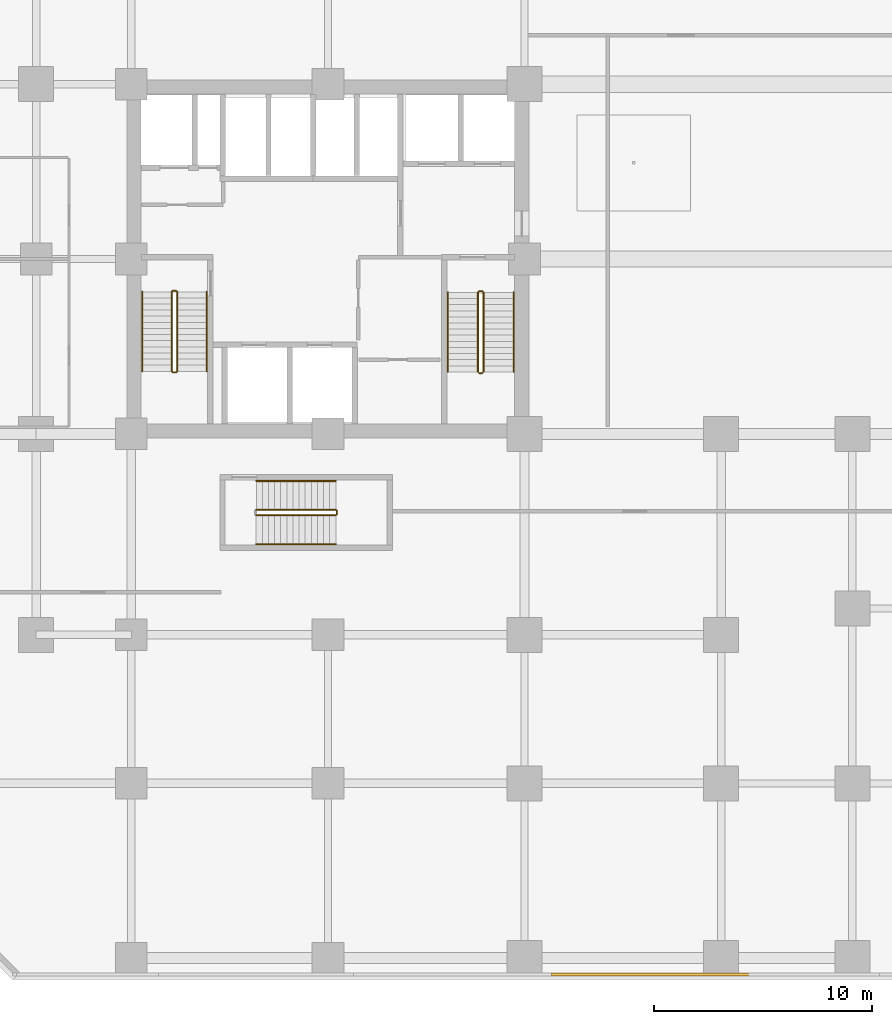
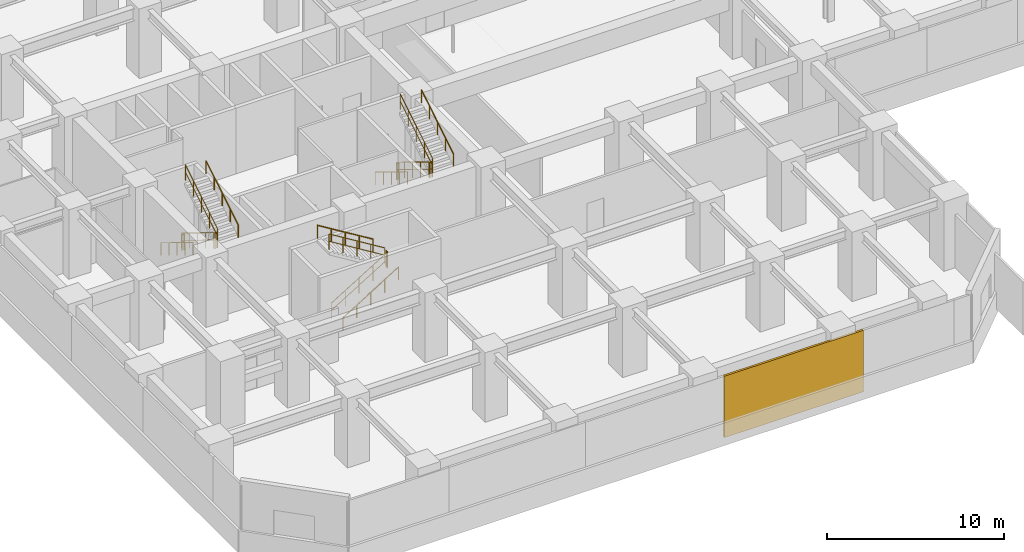
# One storey, part 9 of 12: 17 railings, 1 covering.
"""IFC4 building model written with IfcOpenShell, lengths in metres."""

import ifcopenshell
import ifcopenshell.guid

model = None  # the IFC model being written
_history = None  # IfcOwnerHistory: only IFC2X3 demands one
_inside = {}  # id of a spatial element -> (the spatial element, [elements in it])
_under = {}  # id of a project, library or spatial element -> (it, [spatial elements below it])
_declared = {}  # id of a project -> (the project, [libraries it declares])
_typed = {}  # id of a type object -> (the type object, [elements of that type])
_made_of = {}  # id of a material, layer set ... -> (it, [elements and type objects made of it])


def new_model(schema):
    """Start an empty IFC model of exactly this schema.

    Asked for "IFC4X3", IfcOpenShell would pick the latest addendum, in which some entities
    have other attributes; the version numbers below select the first issue.
    IFC2X3 requires an IfcOwnerHistory on every rooted entity: one is made here for all.
    """
    global model, _history
    if schema == "IFC4X3":
        model = ifcopenshell.file(schema_version=(4, 3, 0, 0))
    else:
        model = ifcopenshell.file(schema=schema)
    _inside.clear()
    _under.clear()
    _declared.clear()
    _typed.clear()
    _made_of.clear()
    _history = None
    if model.schema == "IFC2X3":
        org = make("IfcOrganization", Name="unknown")
        user = make(
            "IfcPersonAndOrganization",
            ThePerson=make("IfcPerson", FamilyName="unknown"),
            TheOrganization=org,
        )
        app = make(
            "IfcApplication",
            ApplicationDeveloper=org,
            Version="unknown",
            ApplicationFullName="unknown",
            ApplicationIdentifier="unknown",
        )
        _history = make(
            "IfcOwnerHistory",
            OwningUser=user,
            OwningApplication=app,
            ChangeAction="ADDED",
            CreationDate=0,
        )
    return model


def make(cls, **values):
    """One entity of the class cls with the attributes given. An attribute that is None is left unset."""
    return model.create_entity(
        cls, **{name: value for name, value in values.items() if value is not None}
    )


def rooted(cls, **values):
    """An entity with a GlobalId (a new one), such as an element, a storey or a relation."""
    return make(cls, GlobalId=ifcopenshell.guid.new(), OwnerHistory=_history, **values)


def si_unit(unit_type, name, prefix=None):
    """IfcSIUnit, for example si_unit("LENGTHUNIT", "METRE", prefix="MILLI")."""
    return make("IfcSIUnit", UnitType=unit_type, Prefix=prefix, Name=name)


def assignment(units):
    """IfcUnitAssignment: the units of a project."""
    return None if units is None else make("IfcUnitAssignment", Units=units)


def point(xyz):
    """IfcCartesianPoint."""
    return None if xyz is None else make("IfcCartesianPoint", Coordinates=xyz)


def direction(xyz):
    """IfcDirection."""
    return None if xyz is None else make("IfcDirection", DirectionRatios=xyz)


def frame(location, z_axis=None, x_axis=None):
    """IfcAxis2Placement3D, a coordinate frame: its origin and axes. An axis left out is left unset."""
    return make(
        "IfcAxis2Placement3D",
        Location=point(location),
        Axis=direction(z_axis),
        RefDirection=direction(x_axis),
    )


def frame_2d(location, x_axis=None):
    """IfcAxis2Placement2D, a coordinate frame in the plane: its origin and x axis."""
    return make(
        "IfcAxis2Placement2D", Location=point(location), RefDirection=direction(x_axis)
    )


def origin():
    """The frame at (0, 0, 0) with its axes left unset."""
    return frame((0.0, 0.0, 0.0))


def origin_2d():
    """The frame at (0, 0) in the plane with its x axis left unset."""
    return frame_2d((0.0, 0.0))


def place(relative_to, where):
    """IfcLocalPlacement: puts the frame where relative to a parent placement (None: the world)."""
    return make(
        "IfcLocalPlacement", PlacementRelTo=relative_to, RelativePlacement=where
    )


def context(
    kind, dimensions, precision=None, world=None, true_north=None, identifier=None
):
    """IfcGeometricRepresentationContext, for example the 3D "Model" context."""
    return make(
        "IfcGeometricRepresentationContext",
        ContextIdentifier=identifier,
        ContextType=kind,
        CoordinateSpaceDimension=dimensions,
        Precision=precision,
        WorldCoordinateSystem=world,
        TrueNorth=true_north,
    )


def subcontext(parent, identifier, kind, view, scale=None):
    """IfcGeometricRepresentationSubContext, for example "Body" below "Model"."""
    return make(
        "IfcGeometricRepresentationSubContext",
        ContextIdentifier=identifier,
        ContextType=kind,
        ParentContext=parent,
        TargetScale=scale,
        TargetView=view,
    )


def project(units=None, contexts=None):
    """IfcProject with its units and contexts."""
    return rooted(
        "IfcProject",
        Name="project",
        RepresentationContexts=contexts,
        UnitsInContext=assignment(units),
    )


def spatial(cls, under=None, at=None, **own):
    """A site, building, storey or space (cls), placed at a placement, below another one or the project."""
    s = rooted(cls, ObjectPlacement=at, **own)
    if under is not None:
        _under.setdefault(under.id(), (under, []))[1].append(s)
    return s


def profile(cls, at=None, kind="AREA", **sizes):
    """A parametric profile (cls). Its sizes go by their IFC names, for example OverallWidth=200.0."""
    return make(cls, ProfileType=kind, Position=at, **sizes)


def rectangle(**sizes):
    """IfcRectangleProfileDef."""
    return profile("IfcRectangleProfileDef", **sizes)


def circle(**sizes):
    """IfcCircleProfileDef."""
    return profile("IfcCircleProfileDef", **sizes)


def extrude(swept, where, along, depth):
    """IfcExtrudedAreaSolid: the profile swept, set in the frame where, extruded along a direction by depth."""
    return make(
        "IfcExtrudedAreaSolid",
        SweptArea=swept,
        Position=where,
        ExtrudedDirection=direction(along),
        Depth=depth,
    )


def shape(context_of_items, identifier, shape_type, items):
    """IfcShapeRepresentation: the items that make up one representation, for example the "Body"."""
    return make(
        "IfcShapeRepresentation",
        ContextOfItems=context_of_items,
        RepresentationIdentifier=identifier,
        RepresentationType=shape_type,
        Items=items,
    )


def source(mapping_origin, context_of_items, identifier, shape_type, items):
    """IfcRepresentationMap: a shape defined once, which mapped items show again and again."""
    return make(
        "IfcRepresentationMap",
        MappingOrigin=mapping_origin,
        MappedRepresentation=shape(context_of_items, identifier, shape_type, items),
    )


def transform(
    local_origin,
    x_axis=None,
    y_axis=None,
    z_axis=None,
    scale=None,
    scale2=None,
    scale3=None,
    uniform=True,
):
    """IfcCartesianTransformationOperator3D, or its non-uniform kind. x_axis, y_axis, z_axis: its Axis1, 2, 3."""
    if uniform:
        return make(
            "IfcCartesianTransformationOperator3D",
            Axis1=direction(x_axis),
            Axis2=direction(y_axis),
            LocalOrigin=point(local_origin),
            Scale=scale,
            Axis3=direction(z_axis),
        )
    return make(
        "IfcCartesianTransformationOperator3DnonUniform",
        Axis1=direction(x_axis),
        Axis2=direction(y_axis),
        LocalOrigin=point(local_origin),
        Scale=scale,
        Axis3=direction(z_axis),
        Scale2=scale2,
        Scale3=scale3,
    )


def mapped(mapping_source, mapping_target):
    """IfcMappedItem: shows the shape of a source again, moved by a transform."""
    return make(
        "IfcMappedItem", MappingSource=mapping_source, MappingTarget=mapping_target
    )


def material(Name=None, Category=None):
    """IfcMaterial."""
    return make("IfcMaterial", Name=Name, Category=Category)


def layer(
    of_material, thickness, ventilated=None, Name=None, Category=None, Priority=None
):
    """IfcMaterialLayer: one layer of a wall or slab, of a material (None: an air gap)."""
    return make(
        "IfcMaterialLayer",
        Material=of_material,
        LayerThickness=thickness,
        IsVentilated=ventilated,
        Name=Name,
        Category=Category,
        Priority=Priority,
    )


def layer_set(layers, Name=None):
    """IfcMaterialLayerSet."""
    return make("IfcMaterialLayerSet", MaterialLayers=layers, LayerSetName=Name)


def made_of(thing, what):
    """Note that an element or type object is made of a material, layer set ...; save() writes the relation."""
    if what is not None:
        _made_of.setdefault(what.id(), (what, []))[1].append(thing)
    return thing


def type_object(cls, material=None, **own):
    """A type object (cls), such as IfcWallType, which elements share."""
    return made_of(rooted(cls, **own), material)


def element(
    cls,
    number,
    at=None,
    inside=None,
    cuts=None,
    type_object=None,
    material=None,
    context=None,
    identifier="Body",
    shape_type=None,
    held_by="IfcProductDefinitionShape",
    body=None,
    shapes=None,
    **own,
):
    """One element of the class cls, such as IfcWall. Its Tag is "e" and its number.

    at: its placement. inside: the storey or other place that contains it. cuts: it is an
    opening in that element (IfcRelVoidsElement). A single representation is given by context,
    identifier, shape_type and body (its items); several are given by shapes. held_by: the class
    of the entity that holds the representations. save() writes the other relations.
    """
    e = rooted(cls, Tag="e%d" % number, ObjectPlacement=at, **own)
    if body is not None:
        shapes = [shape(context, identifier, shape_type, body)]
    if shapes is not None:
        e.Representation = make(held_by, Representations=shapes)
    if inside is not None:
        _inside.setdefault(inside.id(), (inside, []))[1].append(e)
    if cuts is not None:
        rooted(
            "IfcRelVoidsElement", RelatingBuildingElement=cuts, RelatedOpeningElement=e
        )
    if type_object is not None:
        _typed.setdefault(type_object.id(), (type_object, []))[1].append(e)
    return made_of(e, material)


def aggregate(whole, parts):
    """IfcRelAggregates: a whole, such as a stair, and the parts it consists of."""
    return rooted("IfcRelAggregates", RelatingObject=whole, RelatedObjects=parts)


def save(model, path):
    """Write the relations noted so far, then the file.

    IfcRelAggregates (storeys below a building ...), IfcRelContainedInSpatialStructure (elements
    in a storey), IfcRelDefinesByType, IfcRelAssociatesMaterial and IfcRelDeclares: one each for
    every whole, place, type object, material and project.
    """
    for whole, parts in _under.values():
        aggregate(whole, parts)
    for where, things in _inside.values():
        rooted(
            "IfcRelContainedInSpatialStructure",
            RelatedElements=things,
            RelatingStructure=where,
        )
    for kind, things in _typed.values():
        rooted("IfcRelDefinesByType", RelatedObjects=things, RelatingType=kind)
    for what, things in _made_of.values():
        rooted("IfcRelAssociatesMaterial", RelatedObjects=things, RelatingMaterial=what)
    for by, libraries in _declared.values():
        rooted("IfcRelDeclares", RelatingContext=by, RelatedDefinitions=libraries)
    model.write(path)


model = new_model("IFC4")

# Units and contexts
model_context = context("Model", 3, precision=1e-05, world=origin(), true_north=direction((0.0, 1.0)))
body_context = subcontext(model_context, "Body", "Model", "MODEL_VIEW")
ifc_project = project(units=[si_unit("LENGTHUNIT", "METRE"), si_unit("AREAUNIT", "SQUARE_METRE"), si_unit("VOLUMEUNIT", "CUBIC_METRE"), si_unit("PLANEANGLEUNIT", "RADIAN"), si_unit("MASSUNIT", "GRAM", prefix="KILO")], contexts=[model_context])

# Site, building, storey
site_placement = place(None, origin())
site = spatial("IfcSite", under=ifc_project, at=site_placement, CompositionType="ELEMENT")
building_placement = place(site_placement, origin())
building = spatial("IfcBuilding", under=site, at=building_placement, Name="Torre Montelarca", CompositionType="ELEMENT")
storey_placement = place(building_placement, frame((0.0, 0.0, 17.39990234375)))
storey = spatial("IfcBuildingStorey", under=building, at=storey_placement, Name="L04", CompositionType="ELEMENT", Elevation=17.39990234375)

# Railings
ifc_material_1 = material(Name="Powder-coated steel ASTM A500 Grade C", Category="steel")
railing_type_1 = type_object("IfcRailingType", Name="RL-GUARD-1100", PredefinedType="BALUSTRADE", material=ifc_material_1)
railing_1_placement = place(storey_placement, frame((10.85009765625, 30.5, 0.171630859375)))
element("IfcRailing", 1, at=railing_1_placement, inside=storey, type_object=railing_type_1, Name="L04 ST1 stair guard 1", PredefinedType="BALUSTRADE", context=body_context, shape_type="SweptSolid", body=[
    extrude(circle(Radius=0.02392578125, at=origin_2d()), frame((0.0, 0.0, 1.076171875), z_axis=(0.0, -0.852850264322, 0.5221555579), x_axis=(1.0, 0.0, 0.0)), (0.0, 0.0, 1.0), 4.267822265625),
    extrude(circle(Radius=0.02099609375, at=origin_2d()), frame((0.0, 0.0, 0.572021484375), z_axis=(0.0, -0.852850264322, 0.5221555579), x_axis=(1.0, 0.0, 0.0)), (0.0, 0.0, 1.0), 4.267822265625),
    extrude(circle(Radius=0.02099609375, at=origin_2d()), origin(), (0.0, 0.0, 1.0), 1.052001953125),
    extrude(circle(Radius=0.02099609375, at=origin_2d()), frame((0.0, -0.909912109375, 0.55712890625)), (0.0, 0.0, 1.0), 1.052001953125),
    extrude(circle(Radius=0.02099609375, at=origin_2d()), frame((0.0, -1.81982421875, 1.1142578125)), (0.0, 0.0, 1.0), 1.052001953125),
    extrude(circle(Radius=0.02099609375, at=origin_2d()), frame((0.0, -2.72998046875, 1.67138671875)), (0.0, 0.0, 1.0), 1.052001953125),
    extrude(circle(Radius=0.02099609375, at=origin_2d()), frame((0.0, -3.639892578125, 2.228515625)), (0.0, 0.0, 1.0), 1.052001953125),
])
railing_2_placement = place(storey_placement, frame((10.89990234375, 26.81005859375, 2.400146484375)))
element("IfcRailing", 2, at=railing_2_placement, inside=storey, type_object=railing_type_1, Name="L04 ST1 stair guard 2", PredefinedType="BALUSTRADE", context=body_context, shape_type="SweptSolid", body=[
    extrude(circle(Radius=0.02392578125, at=origin_2d()), frame((0.0, 0.0, 1.076171875), z_axis=(1.0, 0.0, 0.0), x_axis=(0.0, 1.0, 0.0)), (0.0, 0.0, 1.0), 0.150146484375),
    extrude(circle(Radius=0.02099609375, at=origin_2d()), frame((0.0, 0.0, 0.572021484375), z_axis=(1.0, 0.0, 0.0), x_axis=(0.0, 1.0, 0.0)), (0.0, 0.0, 1.0), 0.150146484375),
    extrude(circle(Radius=0.02099609375, at=origin_2d()), origin(), (0.0, 0.0, 1.0), 1.052001953125),
    extrude(circle(Radius=0.02099609375, at=origin_2d()), frame((0.150146484375, 0.0, 0.0)), (0.0, 0.0, 1.0), 1.052001953125),
])
railing_3_placement = place(storey_placement, frame((11.10009765625, 26.860107421875, 2.571533203125)))
element("IfcRailing", 3, at=railing_3_placement, inside=storey, type_object=railing_type_1, Name="L04 ST1 stair guard 3", PredefinedType="BALUSTRADE", context=body_context, shape_type="SweptSolid", body=[
    extrude(circle(Radius=0.02392578125, at=origin_2d()), frame((0.0, 0.0, 1.076171875), z_axis=(0.0, 0.852850264322, 0.5221555579), x_axis=(-1.0, 0.0, 0.0)), (0.0, 0.0, 1.0), 4.267822265625),
    extrude(circle(Radius=0.02099609375, at=origin_2d()), frame((0.0, 0.0, 0.572021484375), z_axis=(0.0, 0.852850264322, 0.5221555579), x_axis=(-1.0, 0.0, 0.0)), (0.0, 0.0, 1.0), 4.267822265625),
    extrude(circle(Radius=0.02099609375, at=origin_2d()), origin(), (0.0, 0.0, 1.0), 1.052001953125),
    extrude(circle(Radius=0.02099609375, at=origin_2d()), frame((0.0, 0.909912109375, 0.55712890625)), (0.0, 0.0, 1.0), 1.052001953125),
    extrude(circle(Radius=0.02099609375, at=origin_2d()), frame((0.0, 1.81982421875, 1.1142578125)), (0.0, 0.0, 1.0), 1.052001953125),
    extrude(circle(Radius=0.02099609375, at=origin_2d()), frame((0.0, 2.72998046875, 1.67138671875)), (0.0, 0.0, 1.0), 1.052001953125),
    extrude(circle(Radius=0.02099609375, at=origin_2d()), frame((0.0, 3.639892578125, 2.228515625)), (0.0, 0.0, 1.0), 1.052001953125),
])
railing_4_placement = place(storey_placement, frame((10.89990234375, 30.550048828125, 0.0)))
element("IfcRailing", 4, at=railing_4_placement, inside=storey, type_object=railing_type_1, Name="L04 ST1 stair guard 4", PredefinedType="BALUSTRADE", context=body_context, shape_type="SweptSolid", body=[
    extrude(circle(Radius=0.02392578125, at=origin_2d()), frame((0.0, 0.0, 1.076171875), z_axis=(1.0, 0.0, 0.0), x_axis=(0.0, 1.0, 0.0)), (0.0, 0.0, 1.0), 0.150146484375),
    extrude(circle(Radius=0.02099609375, at=origin_2d()), frame((0.0, 0.0, 0.572021484375), z_axis=(1.0, 0.0, 0.0), x_axis=(0.0, 1.0, 0.0)), (0.0, 0.0, 1.0), 0.150146484375),
    extrude(circle(Radius=0.02099609375, at=origin_2d()), origin(), (0.0, 0.0, 1.0), 1.052001953125),
    extrude(circle(Radius=0.02099609375, at=origin_2d()), frame((0.150146484375, 0.0, 0.0)), (0.0, 0.0, 1.0), 1.052001953125),
])
railing_5_placement = place(storey_placement, frame((24.8701171875, 30.469970703125, 0.171630859375)))
element("IfcRailing", 5, at=railing_5_placement, inside=storey, type_object=railing_type_1, Name="L04 ST2 stair guard 1", PredefinedType="BALUSTRADE", context=body_context, shape_type="SweptSolid", body=[
    extrude(circle(Radius=0.02392578125, at=origin_2d()), frame((0.0, 0.0, 1.076171875), z_axis=(0.0, -0.852850264322, 0.5221555579), x_axis=(1.0, 0.0, 0.0)), (0.0, 0.0, 1.0), 4.267822265625),
    extrude(circle(Radius=0.02099609375, at=origin_2d()), frame((0.0, 0.0, 0.572021484375), z_axis=(0.0, -0.852850264322, 0.5221555579), x_axis=(1.0, 0.0, 0.0)), (0.0, 0.0, 1.0), 4.267822265625),
    extrude(circle(Radius=0.02099609375, at=origin_2d()), origin(), (0.0, 0.0, 1.0), 1.052001953125),
    extrude(circle(Radius=0.02099609375, at=origin_2d()), frame((0.0, -0.909912109375, 0.55712890625)), (0.0, 0.0, 1.0), 1.052001953125),
    extrude(circle(Radius=0.02099609375, at=origin_2d()), frame((0.0, -1.81982421875, 1.1142578125)), (0.0, 0.0, 1.0), 1.052001953125),
    extrude(circle(Radius=0.02099609375, at=origin_2d()), frame((0.0, -2.72998046875, 1.67138671875)), (0.0, 0.0, 1.0), 1.052001953125),
    extrude(circle(Radius=0.02099609375, at=origin_2d()), frame((0.0, -3.639892578125, 2.228515625)), (0.0, 0.0, 1.0), 1.052001953125),
])
railing_6_placement = place(storey_placement, frame((24.919921875, 26.780029296875, 2.400146484375)))
element("IfcRailing", 6, at=railing_6_placement, inside=storey, type_object=railing_type_1, Name="L04 ST2 stair guard 2", PredefinedType="BALUSTRADE", context=body_context, shape_type="SweptSolid", body=[
    extrude(circle(Radius=0.02392578125, at=origin_2d()), frame((0.0, 0.0, 1.076171875), z_axis=(1.0, 0.0, 0.0), x_axis=(0.0, 1.0, 0.0)), (0.0, 0.0, 1.0), 0.150146484375),
    extrude(circle(Radius=0.02099609375, at=origin_2d()), frame((0.0, 0.0, 0.572021484375), z_axis=(1.0, 0.0, 0.0), x_axis=(0.0, 1.0, 0.0)), (0.0, 0.0, 1.0), 0.150146484375),
    extrude(circle(Radius=0.02099609375, at=origin_2d()), origin(), (0.0, 0.0, 1.0), 1.052001953125),
    extrude(circle(Radius=0.02099609375, at=origin_2d()), frame((0.150146484375, 0.0, 0.0)), (0.0, 0.0, 1.0), 1.052001953125),
])
railing_7_placement = place(storey_placement, frame((25.1201171875, 26.830078125, 2.571533203125)))
element("IfcRailing", 7, at=railing_7_placement, inside=storey, type_object=railing_type_1, Name="L04 ST2 stair guard 3", PredefinedType="BALUSTRADE", context=body_context, shape_type="SweptSolid", body=[
    extrude(circle(Radius=0.02392578125, at=origin_2d()), frame((0.0, 0.0, 1.076171875), z_axis=(0.0, 0.852850264322, 0.5221555579), x_axis=(-1.0, 0.0, 0.0)), (0.0, 0.0, 1.0), 4.267822265625),
    extrude(circle(Radius=0.02099609375, at=origin_2d()), frame((0.0, 0.0, 0.572021484375), z_axis=(0.0, 0.852850264322, 0.5221555579), x_axis=(-1.0, 0.0, 0.0)), (0.0, 0.0, 1.0), 4.267822265625),
    extrude(circle(Radius=0.02099609375, at=origin_2d()), origin(), (0.0, 0.0, 1.0), 1.052001953125),
    extrude(circle(Radius=0.02099609375, at=origin_2d()), frame((0.0, 0.909912109375, 0.55712890625)), (0.0, 0.0, 1.0), 1.052001953125),
    extrude(circle(Radius=0.02099609375, at=origin_2d()), frame((0.0, 1.81982421875, 1.1142578125)), (0.0, 0.0, 1.0), 1.052001953125),
    extrude(circle(Radius=0.02099609375, at=origin_2d()), frame((0.0, 2.72998046875, 1.67138671875)), (0.0, 0.0, 1.0), 1.052001953125),
    extrude(circle(Radius=0.02099609375, at=origin_2d()), frame((0.0, 3.639892578125, 2.228515625)), (0.0, 0.0, 1.0), 1.052001953125),
])
railing_8_placement = place(storey_placement, frame((24.919921875, 30.52001953125, 0.0)))
element("IfcRailing", 8, at=railing_8_placement, inside=storey, type_object=railing_type_1, Name="L04 ST2 stair guard 4", PredefinedType="BALUSTRADE", context=body_context, shape_type="SweptSolid", body=[
    extrude(circle(Radius=0.02392578125, at=origin_2d()), frame((0.0, 0.0, 1.076171875), z_axis=(1.0, 0.0, 0.0), x_axis=(0.0, 1.0, 0.0)), (0.0, 0.0, 1.0), 0.150146484375),
    extrude(circle(Radius=0.02099609375, at=origin_2d()), frame((0.0, 0.0, 0.572021484375), z_axis=(1.0, 0.0, 0.0), x_axis=(0.0, 1.0, 0.0)), (0.0, 0.0, 1.0), 0.150146484375),
    extrude(circle(Radius=0.02099609375, at=origin_2d()), origin(), (0.0, 0.0, 1.0), 1.052001953125),
    extrude(circle(Radius=0.02099609375, at=origin_2d()), frame((0.150146484375, 0.0, 0.0)), (0.0, 0.0, 1.0), 1.052001953125),
])
railing_9_placement = place(storey_placement, frame((14.719970703125, 20.27001953125, 0.171630859375)))
element("IfcRailing", 9, at=railing_9_placement, inside=storey, type_object=railing_type_1, Name="L04 ST3 stair guard 1", PredefinedType="BALUSTRADE", context=body_context, shape_type="SweptSolid", body=[
    extrude(circle(Radius=0.02392578125, at=origin_2d()), frame((0.0, 0.0, 1.076171875), z_axis=(0.852865859571, 0.0, 0.52213008492), x_axis=(0.0, 1.0, 0.0)), (0.0, 0.0, 1.0), 4.26806640625),
    extrude(circle(Radius=0.02099609375, at=origin_2d()), frame((0.0, 0.0, 0.572021484375), z_axis=(0.852865859571, 0.0, 0.52213008492), x_axis=(0.0, 1.0, 0.0)), (0.0, 0.0, 1.0), 4.26806640625),
    extrude(circle(Radius=0.02099609375, at=origin_2d()), origin(), (0.0, 0.0, 1.0), 1.052001953125),
    extrude(circle(Radius=0.02099609375, at=origin_2d()), frame((0.91015625, 0.0, 0.55712890625)), (0.0, 0.0, 1.0), 1.052001953125),
    extrude(circle(Radius=0.02099609375, at=origin_2d()), frame((1.820068359375, 0.0, 1.1142578125)), (0.0, 0.0, 1.0), 1.052001953125),
    extrude(circle(Radius=0.02099609375, at=origin_2d()), frame((2.72998046875, 0.0, 1.67138671875)), (0.0, 0.0, 1.0), 1.052001953125),
    extrude(circle(Radius=0.02099609375, at=origin_2d()), frame((3.64013671875, 0.0, 2.228515625)), (0.0, 0.0, 1.0), 1.052001953125),
])
railing_10_placement = place(storey_placement, frame((18.409912109375, 20.320068359375, 2.400146484375)))
element("IfcRailing", 10, at=railing_10_placement, inside=storey, type_object=railing_type_1, Name="L04 ST3 stair guard 2", PredefinedType="BALUSTRADE", context=body_context, shape_type="SweptSolid", body=[
    extrude(circle(Radius=0.02392578125, at=origin_2d()), frame((0.0, 0.0, 1.076171875), z_axis=(0.0, 1.0, 0.0), x_axis=(-1.0, 0.0, 0.0)), (0.0, 0.0, 1.0), 0.14990234375),
    extrude(circle(Radius=0.02099609375, at=origin_2d()), frame((0.0, 0.0, 0.572021484375), z_axis=(0.0, 1.0, 0.0), x_axis=(-1.0, 0.0, 0.0)), (0.0, 0.0, 1.0), 0.14990234375),
    extrude(circle(Radius=0.02099609375, at=origin_2d()), origin(), (0.0, 0.0, 1.0), 1.052001953125),
    extrude(circle(Radius=0.02099609375, at=origin_2d()), frame((0.0, 0.14990234375, 0.0)), (0.0, 0.0, 1.0), 1.052001953125),
])
railing_11_placement = place(storey_placement, frame((18.360107421875, 20.52001953125, 2.571533203125)))
element("IfcRailing", 11, at=railing_11_placement, inside=storey, type_object=railing_type_1, Name="L04 ST3 stair guard 3", PredefinedType="BALUSTRADE", context=body_context, shape_type="SweptSolid", body=[
    extrude(circle(Radius=0.02392578125, at=origin_2d()), frame((0.0, 0.0, 1.076171875), z_axis=(-0.852865859571, 0.0, 0.52213008492), x_axis=(0.0, -1.0, 0.0)), (0.0, 0.0, 1.0), 4.26806640625),
    extrude(circle(Radius=0.02099609375, at=origin_2d()), frame((0.0, 0.0, 0.572021484375), z_axis=(-0.852865859571, 0.0, 0.52213008492), x_axis=(0.0, -1.0, 0.0)), (0.0, 0.0, 1.0), 4.26806640625),
    extrude(circle(Radius=0.02099609375, at=origin_2d()), origin(), (0.0, 0.0, 1.0), 1.052001953125),
    extrude(circle(Radius=0.02099609375, at=origin_2d()), frame((-0.91015625, 0.0, 0.55712890625)), (0.0, 0.0, 1.0), 1.052001953125),
    extrude(circle(Radius=0.02099609375, at=origin_2d()), frame((-1.820068359375, 0.0, 1.1142578125)), (0.0, 0.0, 1.0), 1.052001953125),
    extrude(circle(Radius=0.02099609375, at=origin_2d()), frame((-2.72998046875, 0.0, 1.67138671875)), (0.0, 0.0, 1.0), 1.052001953125),
    extrude(circle(Radius=0.02099609375, at=origin_2d()), frame((-3.64013671875, 0.0, 2.228515625)), (0.0, 0.0, 1.0), 1.052001953125),
])
ifc_material_2 = material(Name="Brushed stainless steel AISI 316", Category="steel")
railing_type_2 = type_object("IfcRailingType", Name="RL-HANDRAIL-900", PredefinedType="HANDRAIL", material=ifc_material_2)
railing_12_placement = place(storey_placement, frame((9.5, 30.5, 0.171630859375)))
element("IfcRailing", 12, at=railing_12_placement, inside=storey, type_object=railing_type_2, Name="L04 ST1 stair handrail 1", PredefinedType="HANDRAIL", context=body_context, shape_type="SweptSolid", body=[
    extrude(circle(Radius=0.02392578125, at=origin_2d()), frame((0.0, 0.0, 0.8759765625), z_axis=(0.0, -0.852850264322, 0.5221555579), x_axis=(1.0, 0.0, 0.0)), (0.0, 0.0, 1.0), 4.267822265625),
    extrude(circle(Radius=0.02099609375, at=origin_2d()), origin(), (0.0, 0.0, 1.0), 0.851806640625),
    extrude(circle(Radius=0.02099609375, at=origin_2d()), frame((0.0, -0.909912109375, 0.55712890625)), (0.0, 0.0, 1.0), 0.851806640625),
    extrude(circle(Radius=0.02099609375, at=origin_2d()), frame((0.0, -1.81982421875, 1.1142578125)), (0.0, 0.0, 1.0), 0.851806640625),
    extrude(circle(Radius=0.02099609375, at=origin_2d()), frame((0.0, -2.72998046875, 1.67138671875)), (0.0, 0.0, 1.0), 0.851806640625),
    extrude(circle(Radius=0.02099609375, at=origin_2d()), frame((0.0, -3.639892578125, 2.228515625)), (0.0, 0.0, 1.0), 0.851806640625),
])
railing_13_placement = place(storey_placement, frame((12.449951171875, 26.860107421875, 2.571533203125)))
element("IfcRailing", 13, at=railing_13_placement, inside=storey, type_object=railing_type_2, Name="L04 ST1 stair handrail 2", PredefinedType="HANDRAIL", context=body_context, shape_type="SweptSolid", body=[
    extrude(circle(Radius=0.02392578125, at=origin_2d()), frame((0.0, 0.0, 0.8759765625), z_axis=(0.0, 0.852850264322, 0.5221555579), x_axis=(-1.0, 0.0, 0.0)), (0.0, 0.0, 1.0), 4.267822265625),
    extrude(circle(Radius=0.02099609375, at=origin_2d()), origin(), (0.0, 0.0, 1.0), 0.851806640625),
    extrude(circle(Radius=0.02099609375, at=origin_2d()), frame((0.0, 0.909912109375, 0.55712890625)), (0.0, 0.0, 1.0), 0.851806640625),
    extrude(circle(Radius=0.02099609375, at=origin_2d()), frame((0.0, 1.81982421875, 1.1142578125)), (0.0, 0.0, 1.0), 0.851806640625),
    extrude(circle(Radius=0.02099609375, at=origin_2d()), frame((0.0, 2.72998046875, 1.67138671875)), (0.0, 0.0, 1.0), 0.851806640625),
    extrude(circle(Radius=0.02099609375, at=origin_2d()), frame((0.0, 3.639892578125, 2.228515625)), (0.0, 0.0, 1.0), 0.851806640625),
])
railing_14_placement = place(storey_placement, frame((23.489990234375, 30.469970703125, 0.171630859375)))
element("IfcRailing", 14, at=railing_14_placement, inside=storey, type_object=railing_type_2, Name="L04 ST2 stair handrail 1", PredefinedType="HANDRAIL", context=body_context, shape_type="SweptSolid", body=[
    extrude(circle(Radius=0.02392578125, at=origin_2d()), frame((0.0, 0.0, 0.8759765625), z_axis=(0.0, -0.852850264322, 0.5221555579), x_axis=(1.0, 0.0, 0.0)), (0.0, 0.0, 1.0), 4.267822265625),
    extrude(circle(Radius=0.02099609375, at=origin_2d()), origin(), (0.0, 0.0, 1.0), 0.851806640625),
    extrude(circle(Radius=0.02099609375, at=origin_2d()), frame((0.0, -0.909912109375, 0.55712890625)), (0.0, 0.0, 1.0), 0.851806640625),
    extrude(circle(Radius=0.02099609375, at=origin_2d()), frame((0.0, -1.81982421875, 1.1142578125)), (0.0, 0.0, 1.0), 0.851806640625),
    extrude(circle(Radius=0.02099609375, at=origin_2d()), frame((0.0, -2.72998046875, 1.67138671875)), (0.0, 0.0, 1.0), 0.851806640625),
    extrude(circle(Radius=0.02099609375, at=origin_2d()), frame((0.0, -3.639892578125, 2.228515625)), (0.0, 0.0, 1.0), 0.851806640625),
])
railing_15_placement = place(storey_placement, frame((26.5, 26.830078125, 2.571533203125)))
element("IfcRailing", 15, at=railing_15_placement, inside=storey, type_object=railing_type_2, Name="L04 ST2 stair handrail 2", PredefinedType="HANDRAIL", context=body_context, shape_type="SweptSolid", body=[
    extrude(circle(Radius=0.02392578125, at=origin_2d()), frame((0.0, 0.0, 0.8759765625), z_axis=(0.0, 0.852850264322, 0.5221555579), x_axis=(-1.0, 0.0, 0.0)), (0.0, 0.0, 1.0), 4.267822265625),
    extrude(circle(Radius=0.02099609375, at=origin_2d()), origin(), (0.0, 0.0, 1.0), 0.851806640625),
    extrude(circle(Radius=0.02099609375, at=origin_2d()), frame((0.0, 0.909912109375, 0.55712890625)), (0.0, 0.0, 1.0), 0.851806640625),
    extrude(circle(Radius=0.02099609375, at=origin_2d()), frame((0.0, 1.81982421875, 1.1142578125)), (0.0, 0.0, 1.0), 0.851806640625),
    extrude(circle(Radius=0.02099609375, at=origin_2d()), frame((0.0, 2.72998046875, 1.67138671875)), (0.0, 0.0, 1.0), 0.851806640625),
    extrude(circle(Radius=0.02099609375, at=origin_2d()), frame((0.0, 3.639892578125, 2.228515625)), (0.0, 0.0, 1.0), 0.851806640625),
])
railing_16_placement = place(storey_placement, frame((14.719970703125, 18.949951171875, 0.171630859375)))
element("IfcRailing", 16, at=railing_16_placement, inside=storey, type_object=railing_type_2, Name="L04 ST3 stair handrail 1", PredefinedType="HANDRAIL", context=body_context, shape_type="SweptSolid", body=[
    extrude(circle(Radius=0.02392578125, at=origin_2d()), frame((0.0, 0.0, 0.8759765625), z_axis=(0.852865859571, 0.0, 0.52213008492), x_axis=(0.0, 1.0, 0.0)), (0.0, 0.0, 1.0), 4.26806640625),
    extrude(circle(Radius=0.02099609375, at=origin_2d()), origin(), (0.0, 0.0, 1.0), 0.851806640625),
    extrude(circle(Radius=0.02099609375, at=origin_2d()), frame((0.91015625, 0.0, 0.55712890625)), (0.0, 0.0, 1.0), 0.851806640625),
    extrude(circle(Radius=0.02099609375, at=origin_2d()), frame((1.820068359375, 0.0, 1.1142578125)), (0.0, 0.0, 1.0), 0.851806640625),
    extrude(circle(Radius=0.02099609375, at=origin_2d()), frame((2.72998046875, 0.0, 1.67138671875)), (0.0, 0.0, 1.0), 0.851806640625),
    extrude(circle(Radius=0.02099609375, at=origin_2d()), frame((3.64013671875, 0.0, 2.228515625)), (0.0, 0.0, 1.0), 0.851806640625),
])
railing_17_placement = place(storey_placement, frame((18.360107421875, 21.840087890625, 2.571533203125)))
element("IfcRailing", 17, at=railing_17_placement, inside=storey, type_object=railing_type_2, Name="L04 ST3 stair handrail 2", PredefinedType="HANDRAIL", context=body_context, shape_type="SweptSolid", body=[
    extrude(circle(Radius=0.02392578125, at=origin_2d()), frame((0.0, 0.0, 0.8759765625), z_axis=(-0.852865859571, 0.0, 0.52213008492), x_axis=(0.0, -1.0, 0.0)), (0.0, 0.0, 1.0), 4.26806640625),
    extrude(circle(Radius=0.02099609375, at=origin_2d()), origin(), (0.0, 0.0, 1.0), 0.851806640625),
    extrude(circle(Radius=0.02099609375, at=origin_2d()), frame((-0.91015625, 0.0, 0.55712890625)), (0.0, 0.0, 1.0), 0.851806640625),
    extrude(circle(Radius=0.02099609375, at=origin_2d()), frame((-1.820068359375, 0.0, 1.1142578125)), (0.0, 0.0, 1.0), 0.851806640625),
    extrude(circle(Radius=0.02099609375, at=origin_2d()), frame((-2.72998046875, 0.0, 1.67138671875)), (0.0, 0.0, 1.0), 0.851806640625),
    extrude(circle(Radius=0.02099609375, at=origin_2d()), frame((-3.64013671875, 0.0, 2.228515625)), (0.0, 0.0, 1.0), 0.851806640625),
])

# Covering
ifc_material_3 = material(Name="Bush-hammered warm white precast concrete C45/55", Category="concrete")
ifc_layer = layer(ifc_material_3, 0.139892578125, Name="Bush-hammered warm white precast concrete C45/55", Category="concrete")
ifc_layer_set = layer_set([ifc_layer], Name="Bush-hammered warm white precast concrete C45/55")
covering_type = type_object("IfcCoveringType", Name="COV-TRAY-CLAD", PredefinedType="CLADDING", material=ifc_layer_set)
shared_shape = source(origin(), body_context, "Body", "SweptSolid", [
    extrude(rectangle(XDim=9.080078125, YDim=0.139892578125, at=origin_2d()), origin(), (0.0, 0.0, 1.0), 4.25),
])
covering_placement = place(storey_placement, frame((32.780029296875, -0.739990234375, 0.0), z_axis=(0.0, 0.0, 1.0), x_axis=(1.0, 0.0, 0.0)))
element("IfcCovering", 18, at=covering_placement, inside=storey, type_object=covering_type, Name="L04 Architectural Column Pier Cladding E01-5", PredefinedType="CLADDING", context=body_context, shape_type="MappedRepresentation", body=[
    mapped(shared_shape, transform((0.0, 0.0, 0.0), scale=1.0)),
])

save(model, "model.ifc")
